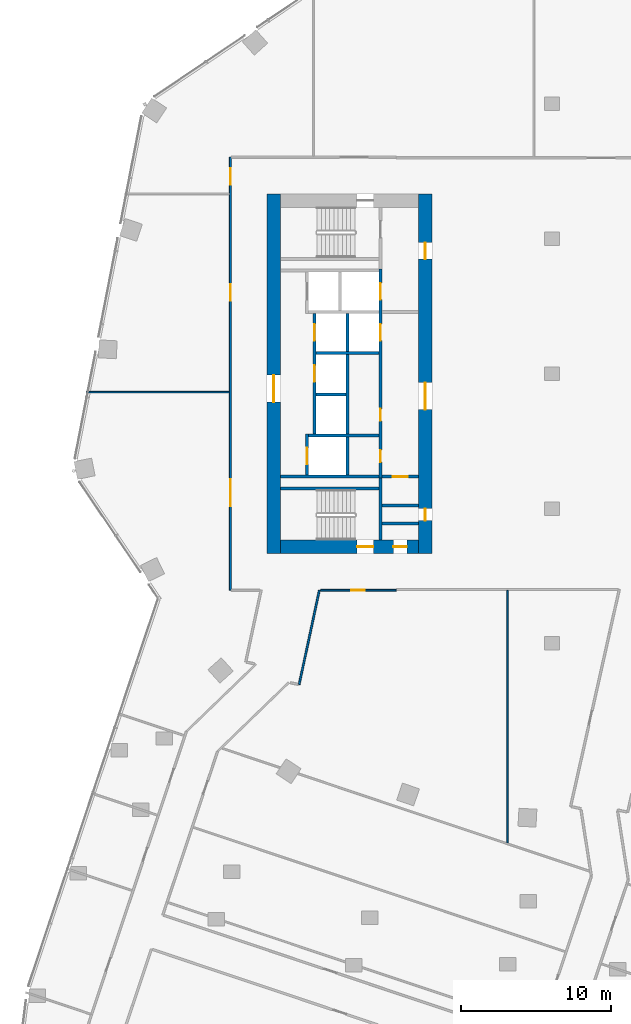
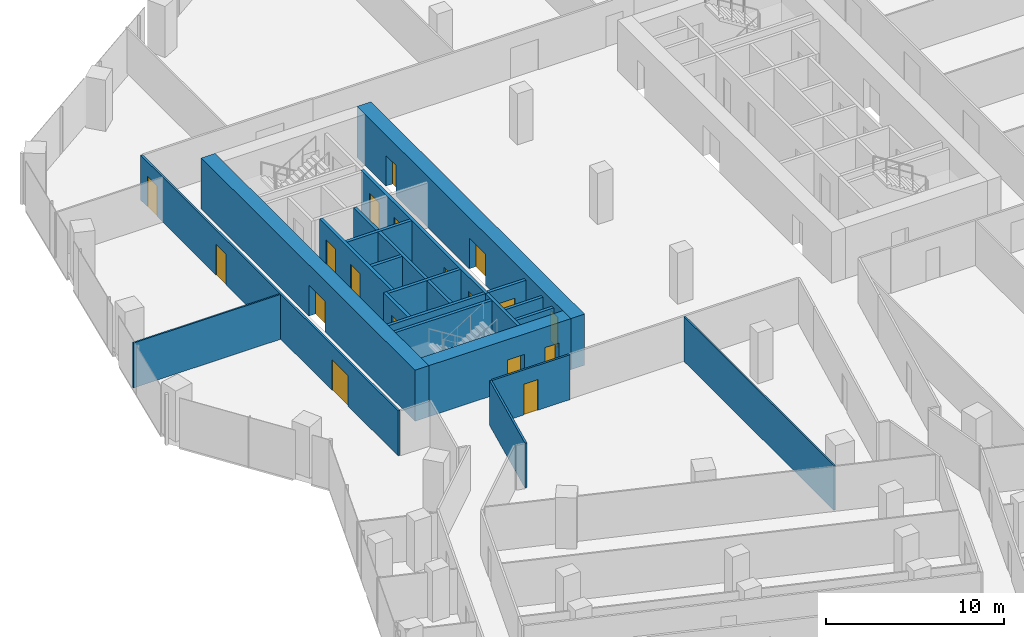
# One storey, part 20 of 26: 23 walls, 18 doors, 18 openings.
"""IFC4 building model written with IfcOpenShell, lengths in metres."""

from ifc_helpers import new_model, si_unit, direction, frame, frame_2d, origin, place, context, subcontext, project, spatial, rectangle, extrude, material, layer, layer_set, type_object, element, fill, save


model = new_model("IFC4")

# Units and contexts
model_context = context("Model", 3, precision=1e-05, world=origin(), true_north=direction((0.0, 1.0)))
body_context = subcontext(model_context, "Body", "Model", "MODEL_VIEW")
ifc_project = project(units=[si_unit("LENGTHUNIT", "METRE"), si_unit("AREAUNIT", "SQUARE_METRE"), si_unit("VOLUMEUNIT", "CUBIC_METRE"), si_unit("PLANEANGLEUNIT", "RADIAN"), si_unit("MASSUNIT", "GRAM", prefix="KILO")], contexts=[model_context])

# Site, building, storey
site_placement = place(None, origin())
site = spatial("IfcSite", under=ifc_project, at=site_placement, CompositionType="ELEMENT")
building_placement = place(site_placement, origin())
building = spatial("IfcBuilding", under=site, at=building_placement, Name="Orlundy Tower", CompositionType="ELEMENT")
storey_placement = place(building_placement, frame((0.0, 0.0, 156.10009765625)))
storey = spatial("IfcBuildingStorey", under=building, at=storey_placement, Name="L40", CompositionType="ELEMENT", Elevation=156.10009765625)

# Wall, openings, doors
ifc_material_1 = material(Name="Concrete C70/85", Category="concrete")
ifc_layer_1 = layer(ifc_material_1, 0.89990234375)
ifc_layer_set_1 = layer_set([ifc_layer_1], Name="CORE WALL 900 C70/85")
wall_type_1 = type_object("IfcWallType", Name="CORE WALL 900 C70/85", PredefinedType="SHEAR", material=ifc_layer_set_1)
wall_1_placement = place(storey_placement, frame((-18.10009765625, -11.550048828125, 0.0), z_axis=(0.0, 0.0, 1.0), x_axis=(1.0, 0.0, 0.0)))
wall_1 = element("IfcWall", 1, at=wall_1_placement, inside=storey, type_object=wall_type_1, Name="Core wall W-S L40", PredefinedType="SHEAR", context=body_context, shape_type="SweptSolid", body=[
    extrude(rectangle(XDim=9.2001953125, YDim=0.89990234375, at=frame_2d((4.60009765625, 0.0))), origin(), (0.0, 0.0, 1.0), 3.5),
])
opening_1_placement = place(wall_1_placement, frame((5.10009765625, 0.0, 0.0)))
opening_1 = element("IfcOpeningElement", 2, at=opening_1_placement, cuts=wall_1, Name="Opening 31013", PredefinedType="OPENING", context=body_context, shape_type="SweptSolid", body=[
    extrude(rectangle(XDim=1.10009765625, YDim=2.10009765625, at=frame_2d((0.550048828125, 1.050048828125))), frame((0.0, 0.4599609375, 0.0), z_axis=(0.0, -1.0, 0.0), x_axis=(1.0, 0.0, 0.0)), (0.0, 0.0, 1.0), 0.919921875),
])
opening_2_placement = place(wall_1_placement, frame((7.530029296875, 0.0, 0.0)))
opening_2 = element("IfcOpeningElement", 3, at=opening_2_placement, cuts=wall_1, Name="Opening 31015", PredefinedType="OPENING", context=body_context, shape_type="SweptSolid", body=[
    extrude(rectangle(XDim=0.89990234375, YDim=2.10009765625, at=frame_2d((0.449951171875, 1.050048828125))), frame((0.0, 0.4599609375, 0.0), z_axis=(0.0, -1.0, 0.0), x_axis=(1.0, 0.0, 0.0)), (0.0, 0.0, 1.0), 0.919921875),
])
ifc_material_2 = material(Name="Timber door set", Category="wood")
door_type_1 = type_object("IfcDoorType", Name="Room Door 900x2100", OperationType="SINGLE_SWING_LEFT", PredefinedType="DOOR", material=ifc_material_2)
door_1_placement = place(opening_2_placement, origin())
door_1 = element("IfcDoor", 4, at=door_1_placement, inside=storey, type_object=door_type_1, Name="Store door 31015", OperationType="SINGLE_SWING_RIGHT", OverallHeight=2.10009765625, OverallWidth=0.89990234375, PredefinedType="DOOR", context=body_context, shape_type="SweptSolid", body=[
    extrude(rectangle(XDim=0.89990234375, YDim=2.10009765625, at=frame_2d((0.449951171875, 1.050048828125))), frame((0.0, 0.02490234375, 0.0), z_axis=(0.0, -1.0, 0.0), x_axis=(1.0, 0.0, 0.0)), (0.0, 0.0, 1.0), 0.050048828125),
])
fill(opening_2, door_1)
ifc_material_3 = material(Name="Steel door set", Category="steel")
door_type_2 = type_object("IfcDoorType", Name="Stair Door 1100x2100", OperationType="SINGLE_SWING_LEFT", PredefinedType="DOOR", material=ifc_material_3)
door_2_placement = place(opening_1_placement, origin())
door_2 = element("IfcDoor", 5, at=door_2_placement, inside=storey, type_object=door_type_2, Name="Stair door 31013", OperationType="SINGLE_SWING_RIGHT", OverallHeight=2.10009765625, OverallWidth=1.10009765625, PredefinedType="DOOR", context=body_context, shape_type="SweptSolid", body=[
    extrude(rectangle(XDim=1.10009765625, YDim=2.10009765625, at=frame_2d((0.550048828125, 1.050048828125))), frame((0.0, 0.02490234375, 0.0), z_axis=(0.0, -1.0, 0.0), x_axis=(1.0, 0.0, 0.0)), (0.0, 0.0, 1.0), 0.050048828125),
])
fill(opening_1, door_2)

# Wall, opening, door
wall_2_placement = place(storey_placement, frame((-18.550048828125, -12.0, 0.0), z_axis=(0.0, 0.0, 1.0), x_axis=(0.0, 1.0, 0.0)))
wall_2 = element("IfcWall", 6, at=wall_2_placement, inside=storey, type_object=wall_type_1, Name="Core wall W-W L40", PredefinedType="SHEAR", context=body_context, shape_type="SweptSolid", body=[
    extrude(rectangle(XDim=24.0, YDim=0.89990234375, at=frame_2d((12.0, 0.0))), origin(), (0.0, 0.0, 1.0), 3.5),
])
opening_3_placement = place(wall_2_placement, frame((10.10009765625, 0.0, 0.0)))
opening_3 = element("IfcOpeningElement", 7, at=opening_3_placement, cuts=wall_2, Name="Opening 31010", PredefinedType="OPENING", context=body_context, shape_type="SweptSolid", body=[
    extrude(rectangle(XDim=1.800048828125, YDim=2.10009765625, at=frame_2d((0.89990234375, 1.050048828125))), frame((0.0, 0.4599609375, 0.0), z_axis=(0.0, -1.0, 0.0), x_axis=(1.0, 0.0, 0.0)), (0.0, 0.0, 1.0), 0.919921875),
])
ifc_material_4 = material(Name="Timber door set", Category="wood")
door_type_3 = type_object("IfcDoorType", Name="Lobby Door 1800x2100", OperationType="DOUBLE_DOOR_DOUBLE_SWING", PredefinedType="DOOR", material=ifc_material_4)
door_3_placement = place(opening_3_placement, origin())
door_3 = element("IfcDoor", 8, at=door_3_placement, inside=storey, type_object=door_type_3, Name="Lift lobby door 31010", OperationType="SINGLE_SWING_LEFT", OverallHeight=2.10009765625, OverallWidth=1.800048828125, PredefinedType="DOOR", context=body_context, shape_type="SweptSolid", body=[
    extrude(rectangle(XDim=1.800048828125, YDim=2.10009765625, at=frame_2d((0.89990234375, 1.050048828125))), frame((0.0, 0.02490234375, 0.0), z_axis=(0.0, -1.0, 0.0), x_axis=(1.0, 0.0, 0.0)), (0.0, 0.0, 1.0), 0.050048828125),
])
fill(opening_3, door_3)

# Wall, openings, doors
wall_3_placement = place(storey_placement, frame((-8.449951171875, -12.0, 0.0), z_axis=(0.0, 0.0, 1.0), x_axis=(0.0, 1.0, 0.0)))
wall_3 = element("IfcWall", 9, at=wall_3_placement, inside=storey, type_object=wall_type_1, Name="Core wall W-E L40", PredefinedType="SHEAR", context=body_context, shape_type="SweptSolid", body=[
    extrude(rectangle(XDim=24.0, YDim=0.89990234375, at=frame_2d((12.0, 0.0))), origin(), (0.0, 0.0, 1.0), 3.5),
])
opening_4_placement = place(wall_3_placement, frame((9.60009765625, 0.0, 0.0)))
opening_4 = element("IfcOpeningElement", 10, at=opening_4_placement, cuts=wall_3, Name="Opening 31009", PredefinedType="OPENING", context=body_context, shape_type="SweptSolid", body=[
    extrude(rectangle(XDim=1.800048828125, YDim=2.10009765625, at=frame_2d((0.89990234375, 1.050048828125))), frame((0.0, 0.4599609375, 0.0), z_axis=(0.0, -1.0, 0.0), x_axis=(1.0, 0.0, 0.0)), (0.0, 0.0, 1.0), 0.919921875),
])
opening_5_placement = place(wall_3_placement, frame((19.64990234375, 0.0, 0.0)))
opening_5 = element("IfcOpeningElement", 11, at=opening_5_placement, cuts=wall_3, Name="Opening 31011", PredefinedType="OPENING", context=body_context, shape_type="SweptSolid", body=[
    extrude(rectangle(XDim=1.10009765625, YDim=2.10009765625, at=frame_2d((0.550048828125, 1.050048828125))), frame((0.0, 0.4599609375, 0.0), z_axis=(0.0, -1.0, 0.0), x_axis=(1.0, 0.0, 0.0)), (0.0, 0.0, 1.0), 0.919921875),
])
opening_6_placement = place(wall_3_placement, frame((2.199951171875, 0.0, 0.0)))
opening_6 = element("IfcOpeningElement", 12, at=opening_6_placement, cuts=wall_3, Name="Opening 31016", PredefinedType="OPENING", context=body_context, shape_type="SweptSolid", body=[
    extrude(rectangle(XDim=0.800048828125, YDim=2.10009765625, at=frame_2d((0.39990234375, 1.050048828125))), frame((0.0, 0.4599609375, 0.0), z_axis=(0.0, -1.0, 0.0), x_axis=(1.0, 0.0, 0.0)), (0.0, 0.0, 1.0), 0.919921875),
])
ifc_material_5 = material(Name="Steel door set", Category="steel")
door_type_4 = type_object("IfcDoorType", Name="Fire-fighting Lobby Door 1100x2100", OperationType="SINGLE_SWING_LEFT", PredefinedType="DOOR", material=ifc_material_5)
door_4_placement = place(opening_5_placement, origin())
door_4 = element("IfcDoor", 13, at=door_4_placement, inside=storey, type_object=door_type_4, Name="Fire-fighting lobby door 31011", OperationType="SINGLE_SWING_RIGHT", OverallHeight=2.10009765625, OverallWidth=1.10009765625, PredefinedType="DOOR", context=body_context, shape_type="SweptSolid", body=[
    extrude(rectangle(XDim=1.10009765625, YDim=2.10009765625, at=frame_2d((0.550048828125, 1.050048828125))), frame((0.0, 0.02490234375, 0.0), z_axis=(0.0, -1.0, 0.0), x_axis=(1.0, 0.0, 0.0)), (0.0, 0.0, 1.0), 0.050048828125),
])
fill(opening_5, door_4)
door_5_placement = place(opening_4_placement, origin())
door_5 = element("IfcDoor", 14, at=door_5_placement, inside=storey, type_object=door_type_3, Name="Lift lobby door 31009", OperationType="SINGLE_SWING_LEFT", OverallHeight=2.10009765625, OverallWidth=1.800048828125, PredefinedType="DOOR", context=body_context, shape_type="SweptSolid", body=[
    extrude(rectangle(XDim=1.800048828125, YDim=2.10009765625, at=frame_2d((0.89990234375, 1.050048828125))), frame((0.0, 0.02490234375, 0.0), z_axis=(0.0, -1.0, 0.0), x_axis=(1.0, 0.0, 0.0)), (0.0, 0.0, 1.0), 0.050048828125),
])
fill(opening_4, door_5)
ifc_material_6 = material(Name="Timber door set", Category="wood")
door_type_5 = type_object("IfcDoorType", Name="Riser Door 800x2100", OperationType="SINGLE_SWING_LEFT", PredefinedType="DOOR", material=ifc_material_6)
door_6_placement = place(opening_6_placement, origin())
door_6 = element("IfcDoor", 15, at=door_6_placement, inside=storey, type_object=door_type_5, Name="Door 31016", OperationType="SINGLE_SWING_LEFT", OverallHeight=2.10009765625, OverallWidth=0.800048828125, PredefinedType="DOOR", context=body_context, shape_type="SweptSolid", body=[
    extrude(rectangle(XDim=0.800048828125, YDim=2.10009765625, at=frame_2d((0.39990234375, 1.050048828125))), frame((0.0, 0.02490234375, 0.0), z_axis=(0.0, -1.0, 0.0), x_axis=(1.0, 0.0, 0.0)), (0.0, 0.0, 1.0), 0.050048828125),
])
fill(opening_6, door_6)

# Walls
ifc_material_7 = material(Name="Gypsum board partition")
ifc_layer_2 = layer(ifc_material_7, 0.10009765625)
ifc_layer_set_2 = layer_set([ifc_layer_2], Name="Floor partition 100")
wall_type_2 = type_object("IfcWallType", Name="Floor partition 100", PredefinedType="PARTITIONING", material=ifc_layer_set_2)
wall_4_placement = place(storey_placement, frame((-31.053955078125, -1.22412109375, 0.0), z_axis=(0.0, 0.0, 1.0), x_axis=(1.0, 0.0, 0.0)))
element("IfcWall", 16, at=wall_4_placement, inside=storey, type_object=wall_type_2, Name="wall-int-L40-030", PredefinedType="PARTITIONING", context=body_context, shape_type="SweptSolid", body=[
    extrude(rectangle(XDim=9.5419921875, YDim=0.10009765625, at=frame_2d((4.77099609375, 0.0))), origin(), (0.0, 0.0, 1.0), 3.079833984375),
])
wall_5_placement = place(storey_placement, frame((-2.94189453125, -31.31298828125, 0.0), z_axis=(0.0, 0.0, 1.0), x_axis=(0.0, 1.0, 0.0)))
element("IfcWall", 17, at=wall_5_placement, inside=storey, type_object=wall_type_2, Name="wall-int-L40-068", PredefinedType="PARTITIONING", context=body_context, shape_type="SweptSolid", body=[
    extrude(rectangle(XDim=16.85009765625, YDim=0.10009765625, at=frame_2d((8.425048828125, 0.0))), origin(), (0.0, 0.0, 1.0), 3.079833984375),
])

# Wall, opening, door
ifc_material_8 = material(Name="Gypsum board partition, double layer")
ifc_layer_3 = layer(ifc_material_8, 0.125)
ifc_layer_set_3 = layer_set([ifc_layer_3], Name="Floor partition 125")
wall_type_3 = type_object("IfcWallType", Name="Floor partition 125", PredefinedType="PARTITIONING", material=ifc_layer_set_3)
wall_6_placement = place(storey_placement, frame((-10.39111328125, -14.450927734375, 0.0), z_axis=(0.0, 0.0, 1.0), x_axis=(-1.0, 0.0, 0.0)))
wall_6 = element("IfcWall", 18, at=wall_6_placement, inside=storey, type_object=wall_type_3, Name="wall-int-L40-025", PredefinedType="PARTITIONING", context=body_context, shape_type="SweptSolid", body=[
    extrude(rectangle(XDim=5.04296875, YDim=0.125, at=frame_2d((2.521484375, 0.0))), origin(), (0.0, 0.0, 1.0), 3.079833984375),
])
opening_7_placement = place(wall_6_placement, frame((2.10009765625, 0.0, 0.0)))
opening_7 = element("IfcOpeningElement", 19, at=opening_7_placement, cuts=wall_6, Name="Opening 31113", PredefinedType="OPENING", context=body_context, shape_type="SweptSolid", body=[
    extrude(rectangle(XDim=0.89990234375, YDim=2.10009765625, at=frame_2d((0.449951171875, 1.050048828125))), frame((0.0, 0.072509765625, 0.0), z_axis=(0.0, -1.0, 0.0), x_axis=(1.0, 0.0, 0.0)), (0.0, 0.0, 1.0), 0.14501953125),
])
ifc_material_9 = material(Name="Timber door leaf", Category="wood")
door_type_6 = type_object("IfcDoorType", Name="Floor door single 900 FD30S", OperationType="NOTDEFINED", PredefinedType="DOOR", material=ifc_material_9)
door_7_placement = place(opening_7_placement, origin())
door_7 = element("IfcDoor", 20, at=door_7_placement, inside=storey, type_object=door_type_6, Name="Door 31113", OperationType="SINGLE_SWING_RIGHT", OverallHeight=2.10009765625, OverallWidth=0.89990234375, PredefinedType="DOOR", context=body_context, shape_type="SweptSolid", body=[
    extrude(rectangle(XDim=0.89990234375, YDim=2.10009765625, at=frame_2d((0.449951171875, 1.050048828125))), frame((0.0, 0.02490234375, 0.0), z_axis=(0.0, -1.0, 0.0), x_axis=(1.0, 0.0, 0.0)), (0.0, 0.0, 1.0), 0.050048828125),
])
fill(opening_7, door_7)

# Wall
wall_7_placement = place(storey_placement, frame((-16.862060546875, -20.751953125, 0.0), z_axis=(0.0, 0.0, 1.0), x_axis=(0.209655863281, 0.977775239506, 0.0)))
element("IfcWall", 21, at=wall_7_placement, inside=storey, type_object=wall_type_3, Name="wall-int-L40-060", PredefinedType="PARTITIONING", context=body_context, shape_type="SweptSolid", body=[
    extrude(rectangle(XDim=6.4443359375, YDim=0.125, at=frame_2d((3.22216796875, 0.0))), origin(), (0.0, 0.0, 1.0), 3.079833984375),
])

# Wall, openings, doors
wall_8_placement = place(storey_placement, frame((-21.449951171875, -14.450927734375, 0.0), z_axis=(0.0, 0.0, 1.0), x_axis=(0.0, 1.0, 0.0)))
wall_8 = element("IfcWall", 22, at=wall_8_placement, inside=storey, type_object=wall_type_3, Name="wall-int-L40-070", PredefinedType="PARTITIONING", context=body_context, shape_type="SweptSolid", body=[
    extrude(rectangle(XDim=28.90185546875, YDim=0.125, at=frame_2d((14.450927734375, 0.0))), origin(), (0.0, 0.0, 1.0), 3.079833984375),
])
opening_8_placement = place(wall_8_placement, frame((5.60009765625, 0.0, 0.0)))
opening_8 = element("IfcOpeningElement", 23, at=opening_8_placement, cuts=wall_8, Name="Opening 31112", PredefinedType="OPENING", context=body_context, shape_type="SweptSolid", body=[
    extrude(rectangle(XDim=1.800048828125, YDim=2.10009765625, at=frame_2d((0.89990234375, 1.050048828125))), frame((0.0, 0.072509765625, 0.0), z_axis=(0.0, -1.0, 0.0), x_axis=(1.0, 0.0, 0.0)), (0.0, 0.0, 1.0), 0.14501953125),
])
opening_9_placement = place(wall_8_placement, frame((27.051025390625, 0.0, 0.0)))
opening_9 = element("IfcOpeningElement", 24, at=opening_9_placement, cuts=wall_8, Name="Opening 31126", PredefinedType="OPENING", context=body_context, shape_type="SweptSolid", body=[
    extrude(rectangle(XDim=1.10009765625, YDim=2.10009765625, at=frame_2d((0.550048828125, 1.050048828125))), frame((0.0, 0.072509765625, 0.0), z_axis=(0.0, -1.0, 0.0), x_axis=(1.0, 0.0, 0.0)), (0.0, 0.0, 1.0), 0.14501953125),
])
opening_10_placement = place(wall_8_placement, frame((19.326904296875, 0.0, 0.0)))
opening_10 = element("IfcOpeningElement", 25, at=opening_10_placement, cuts=wall_8, Name="Opening 31127", PredefinedType="OPENING", context=body_context, shape_type="SweptSolid", body=[
    extrude(rectangle(XDim=1.10009765625, YDim=2.10009765625, at=frame_2d((0.550048828125, 1.050048828125))), frame((0.0, 0.072509765625, 0.0), z_axis=(0.0, -1.0, 0.0), x_axis=(1.0, 0.0, 0.0)), (0.0, 0.0, 1.0), 0.14501953125),
])
ifc_material_10 = material(Name="Timber door leaf", Category="wood")
door_type_7 = type_object("IfcDoorType", Name="Floor door double 1800 FD30S", OperationType="NOTDEFINED", PredefinedType="DOOR", material=ifc_material_10)
door_8_placement = place(opening_8_placement, origin())
door_8 = element("IfcDoor", 26, at=door_8_placement, inside=storey, type_object=door_type_7, Name="Door 31112", OperationType="DOUBLE_DOOR_SINGLE_SWING", OverallHeight=2.10009765625, OverallWidth=1.800048828125, PredefinedType="DOOR", context=body_context, shape_type="SweptSolid", body=[
    extrude(rectangle(XDim=1.800048828125, YDim=2.10009765625, at=frame_2d((0.89990234375, 1.050048828125))), frame((0.0, 0.02490234375, 0.0), z_axis=(0.0, -1.0, 0.0), x_axis=(1.0, 0.0, 0.0)), (0.0, 0.0, 1.0), 0.050048828125),
])
fill(opening_8, door_8)
ifc_material_11 = material(Name="Timber door leaf", Category="wood")
door_type_8 = type_object("IfcDoorType", Name="Floor door xwide 1100 FD30S", OperationType="NOTDEFINED", PredefinedType="DOOR", material=ifc_material_11)
door_9_placement = place(opening_9_placement, origin())
door_9 = element("IfcDoor", 27, at=door_9_placement, inside=storey, type_object=door_type_8, Name="Door 31126", OperationType="SINGLE_SWING_RIGHT", OverallHeight=2.10009765625, OverallWidth=1.10009765625, PredefinedType="DOOR", context=body_context, shape_type="SweptSolid", body=[
    extrude(rectangle(XDim=1.10009765625, YDim=2.10009765625, at=frame_2d((0.550048828125, 1.050048828125))), frame((0.0, 0.02490234375, 0.0), z_axis=(0.0, -1.0, 0.0), x_axis=(1.0, 0.0, 0.0)), (0.0, 0.0, 1.0), 0.050048828125),
])
fill(opening_9, door_9)
door_10_placement = place(opening_10_placement, origin())
door_10 = element("IfcDoor", 28, at=door_10_placement, inside=storey, type_object=door_type_8, Name="Door 31127", OperationType="SINGLE_SWING_RIGHT", OverallHeight=2.10009765625, OverallWidth=1.10009765625, PredefinedType="DOOR", context=body_context, shape_type="SweptSolid", body=[
    extrude(rectangle(XDim=1.10009765625, YDim=2.10009765625, at=frame_2d((0.550048828125, 1.050048828125))), frame((0.0, 0.02490234375, 0.0), z_axis=(0.0, -1.0, 0.0), x_axis=(1.0, 0.0, 0.0)), (0.0, 0.0, 1.0), 0.050048828125),
])
fill(opening_10, door_10)

# Walls
ifc_material_12 = material(Name="Concrete C40/50", Category="concrete")
ifc_layer_4 = layer(ifc_material_12, 0.199951171875)
ifc_layer_set_4 = layer_set([ifc_layer_4], Name="Load-bearing Shaft Wall 200")
wall_type_4 = type_object("IfcWallType", Name="Load-bearing Shaft Wall 200", PredefinedType="SOLIDWALL", material=ifc_layer_set_4)
wall_9_placement = place(storey_placement, frame((-11.43994140625, -11.10009765625, 0.0), z_axis=(0.0, 0.0, 1.0), x_axis=(0.0, 1.0, 0.0)))
element("IfcWall", 29, at=wall_9_placement, inside=storey, type_object=wall_type_4, Name="Shaft wall W31-stair-end-s", PredefinedType="SOLIDWALL", context=body_context, shape_type="SweptSolid", body=[
    extrude(rectangle(XDim=4.125, YDim=0.199951171875, at=frame_2d((2.0625, 0.0))), origin(), (0.0, 0.0, 1.0), 3.08984375),
])
wall_10_placement = place(storey_placement, frame((-11.5400390625, -7.64990234375, 0.0), z_axis=(0.0, 0.0, 1.0), x_axis=(-1.0, 0.0, 0.0)))
element("IfcWall", 30, at=wall_10_placement, inside=storey, type_object=wall_type_4, Name="Shaft wall W31-stair-side-s", PredefinedType="SOLIDWALL", context=body_context, shape_type="SweptSolid", body=[
    extrude(rectangle(XDim=6.56005859375, YDim=0.199951171875, at=frame_2d((3.280029296875, 0.0))), origin(), (0.0, 0.0, 1.0), 3.08984375),
])

# Wall, opening, door
ifc_material_13 = material(Name="Gypsum board partition on steel studs", Category="steel")
ifc_layer_5 = layer(ifc_material_13, 0.199951171875)
ifc_layer_set_5 = layer_set([ifc_layer_5], Name="Partition 200")
wall_type_5 = type_object("IfcWallType", Name="Partition 200", PredefinedType="PARTITIONING", material=ifc_layer_set_5)
wall_11_placement = place(storey_placement, frame((-8.89990234375, -6.875, 0.0), z_axis=(0.0, 0.0, 1.0), x_axis=(-1.0, 0.0, 0.0)))
wall_11 = element("IfcWall", 31, at=wall_11_placement, inside=storey, type_object=wall_type_5, Name="Partition wall W31-end-s", PredefinedType="PARTITIONING", context=body_context, shape_type="SweptSolid", body=[
    extrude(rectangle(XDim=2.440185546875, YDim=0.199951171875, at=frame_2d((1.22021484375, 0.0))), origin(), (0.0, 0.0, 1.0), 3.08984375),
])
opening_11_placement = place(wall_11_placement, frame((0.719970703125, 0.0, 0.0)))
opening_11 = element("IfcOpeningElement", 32, at=opening_11_placement, cuts=wall_11, Name="Opening 31017", PredefinedType="OPENING", context=body_context, shape_type="SweptSolid", body=[
    extrude(rectangle(XDim=1.0, YDim=2.10009765625, at=frame_2d((0.5, 1.050048828125))), frame((0.0, 0.110107421875, 0.0), z_axis=(0.0, -1.0, 0.0), x_axis=(1.0, 0.0, 0.0)), (0.0, 0.0, 1.0), 0.22021484375),
])
ifc_material_14 = material(Name="Timber door set", Category="wood")
door_type_9 = type_object("IfcDoorType", Name="Accessible Door 1000x2100", OperationType="SINGLE_SWING_LEFT", PredefinedType="DOOR", material=ifc_material_14)
door_11_placement = place(opening_11_placement, origin())
door_11 = element("IfcDoor", 33, at=door_11_placement, inside=storey, type_object=door_type_9, Name="Accessible WC door 31017", OperationType="SINGLE_SWING_RIGHT", OverallHeight=2.10009765625, OverallWidth=1.0, PredefinedType="DOOR", context=body_context, shape_type="SweptSolid", body=[
    extrude(rectangle(XDim=1.0, YDim=2.10009765625, at=frame_2d((0.5, 1.050048828125))), frame((0.0, 0.02490234375, 0.0), z_axis=(0.0, -1.0, 0.0), x_axis=(1.0, 0.0, 0.0)), (0.0, 0.0, 1.0), 0.050048828125),
])
fill(opening_11, door_11)

# Walls
for number, where, z_axis, x_axis, name in (
    (34, (-8.89990234375, -10.0, 0.0), (0.0, 0.0, 1.0), (-1.0, 0.0, 0.0), "Partition wall W31-room-s0"),
    (35, (-8.89990234375, -8.800048828125, 0.0), (0.0, 0.0, 1.0), (-1.0, 0.0, 0.0), "Partition wall W31-room-s1"),
):
    element("IfcWall", number, at=place(storey_placement, frame(where, z_axis=z_axis, x_axis=x_axis)), inside=storey, type_object=wall_type_5, Name=name, PredefinedType="PARTITIONING", context=body_context, shape_type="SweptSolid", body=[
        extrude(rectangle(XDim=2.440185546875, YDim=0.199951171875, at=frame_2d((1.22021484375, 0.0))), origin(), (0.0, 0.0, 1.0), 3.08984375),
    ])
ifc_material_15 = material(Name="Fire-rated blockwork shaft wall", Category="masonry")
ifc_layer_6 = layer(ifc_material_15, 0.199951171875)
ifc_layer_set_6 = layer_set([ifc_layer_6], Name="Shaft Wall 200")
wall_type_6 = type_object("IfcWallType", Name="Shaft Wall 200", PredefinedType="SOLIDWALL", material=ifc_layer_set_6)
wall_12_placement = place(storey_placement, frame((-11.5400390625, -6.875, 0.0), z_axis=(0.0, 0.0, 1.0), x_axis=(-1.0, 0.0, 0.0)))
element("IfcWall", 36, at=wall_12_placement, inside=storey, type_object=wall_type_6, Name="Shaft wall W31-zone-s", PredefinedType="SOLIDWALL", context=body_context, shape_type="SweptSolid", body=[
    extrude(rectangle(XDim=6.56005859375, YDim=0.199951171875, at=frame_2d((3.280029296875, 0.0))), origin(), (0.0, 0.0, 1.0), 3.08984375),
])
wall_13_placement = place(storey_placement, frame((-11.5400390625, -4.125, 0.0), z_axis=(0.0, 0.0, 1.0), x_axis=(-1.0, 0.0, 0.0)))
element("IfcWall", 37, at=wall_13_placement, inside=storey, type_object=wall_type_6, Name="Shaft wall W31-cross-4.125", PredefinedType="SOLIDWALL", context=body_context, shape_type="SweptSolid", body=[
    extrude(rectangle(XDim=4.699951171875, YDim=0.199951171875, at=frame_2d((2.35009765625, 0.0))), origin(), (0.0, 0.0, 1.0), 3.08984375),
])
wall_14_placement = place(storey_placement, frame((-13.739990234375, -1.375, 0.0), z_axis=(0.0, 0.0, 1.0), x_axis=(-1.0, 0.0, 0.0)))
element("IfcWall", 38, at=wall_14_placement, inside=storey, type_object=wall_type_6, Name="Shaft wall W31-cross-1.375", PredefinedType="SOLIDWALL", context=body_context, shape_type="SweptSolid", body=[
    extrude(rectangle(XDim=2.0, YDim=0.199951171875, at=frame_2d((1.0, 0.0))), origin(), (0.0, 0.0, 1.0), 3.08984375),
])
wall_15_placement = place(storey_placement, frame((-11.5400390625, 1.375, 0.0), z_axis=(0.0, 0.0, 1.0), x_axis=(-1.0, 0.0, 0.0)))
element("IfcWall", 39, at=wall_15_placement, inside=storey, type_object=wall_type_6, Name="Shaft wall W31-cross+1.375", PredefinedType="SOLIDWALL", context=body_context, shape_type="SweptSolid", body=[
    extrude(rectangle(XDim=4.199951171875, YDim=0.199951171875, at=frame_2d((2.10009765625, 0.0))), origin(), (0.0, 0.0, 1.0), 3.08984375),
])

# Wall, openings, doors
wall_16_placement = place(storey_placement, frame((-11.43994140625, -6.97509765625, 0.0), z_axis=(0.0, 0.0, 1.0), x_axis=(0.0, 1.0, 0.0)))
wall_16 = element("IfcWall", 40, at=wall_16_placement, inside=storey, type_object=wall_type_6, Name="Shaft wall W31-front-h", PredefinedType="SOLIDWALL", context=body_context, shape_type="SweptSolid", body=[
    extrude(rectangle(XDim=13.9501953125, YDim=0.199951171875, at=frame_2d((6.97509765625, 0.0))), origin(), (0.0, 0.0, 1.0), 3.08984375),
])
opening_12_placement = place(wall_16_placement, frame((9.175048828125, 0.0, 0.0)))
opening_12 = element("IfcOpeningElement", 41, at=opening_12_placement, cuts=wall_16, Name="Opening 31003", PredefinedType="OPENING", context=body_context, shape_type="SweptSolid", body=[
    extrude(rectangle(XDim=1.10009765625, YDim=2.10009765625, at=frame_2d((0.550048828125, 1.050048828125))), frame((0.0, 0.110107421875, 0.0), z_axis=(0.0, -1.0, 0.0), x_axis=(1.0, 0.0, 0.0)), (0.0, 0.0, 1.0), 0.22021484375),
])
opening_13_placement = place(wall_16_placement, frame((11.925048828125, 0.0, 0.0)))
opening_13 = element("IfcOpeningElement", 42, at=opening_13_placement, cuts=wall_16, Name="Opening 31005", PredefinedType="OPENING", context=body_context, shape_type="SweptSolid", body=[
    extrude(rectangle(XDim=1.10009765625, YDim=2.10009765625, at=frame_2d((0.550048828125, 1.050048828125))), frame((0.0, 0.110107421875, 0.0), z_axis=(0.0, -1.0, 0.0), x_axis=(1.0, 0.0, 0.0)), (0.0, 0.0, 1.0), 0.22021484375),
])
opening_14_placement = place(wall_16_placement, frame((1.074951171875, 0.0, 0.0)))
opening_14 = element("IfcOpeningElement", 43, at=opening_14_placement, cuts=wall_16, Name="Opening 31007", PredefinedType="OPENING", context=body_context, shape_type="SweptSolid", body=[
    extrude(rectangle(XDim=0.800048828125, YDim=2.10009765625, at=frame_2d((0.39990234375, 1.050048828125))), frame((0.0, 0.110107421875, 0.0), z_axis=(0.0, -1.0, 0.0), x_axis=(1.0, 0.0, 0.0)), (0.0, 0.0, 1.0), 0.22021484375),
])
opening_15_placement = place(wall_16_placement, frame((3.824951171875, 0.0, 0.0)))
opening_15 = element("IfcOpeningElement", 44, at=opening_15_placement, cuts=wall_16, Name="Opening 31008", PredefinedType="OPENING", context=body_context, shape_type="SweptSolid", body=[
    extrude(rectangle(XDim=0.800048828125, YDim=2.10009765625, at=frame_2d((0.39990234375, 1.050048828125))), frame((0.0, 0.110107421875, 0.0), z_axis=(0.0, -1.0, 0.0), x_axis=(1.0, 0.0, 0.0)), (0.0, 0.0, 1.0), 0.22021484375),
])
ifc_material_16 = material(Name="Steel door set", Category="steel")
door_type_10 = type_object("IfcDoorType", Name="Landing Door 1100x2100", OperationType="DOUBLE_DOOR_SLIDING", PredefinedType="DOOR", material=ifc_material_16)
door_12_placement = place(opening_12_placement, origin())
door_12 = element("IfcDoor", 45, at=door_12_placement, inside=storey, type_object=door_type_10, Name="Lift landing door LP-12 31003", OperationType="DOUBLE_DOOR_SLIDING", OverallHeight=2.10009765625, OverallWidth=1.10009765625, PredefinedType="DOOR", context=body_context, shape_type="SweptSolid", body=[
    extrude(rectangle(XDim=1.10009765625, YDim=2.10009765625, at=frame_2d((0.550048828125, 1.050048828125))), frame((0.0, 0.02490234375, 0.0), z_axis=(0.0, -1.0, 0.0), x_axis=(1.0, 0.0, 0.0)), (0.0, 0.0, 1.0), 0.050048828125),
])
fill(opening_12, door_12)
door_13_placement = place(opening_13_placement, origin())
door_13 = element("IfcDoor", 46, at=door_13_placement, inside=storey, type_object=door_type_10, Name="Lift landing door FL1 31005", OperationType="DOUBLE_DOOR_SLIDING", OverallHeight=2.10009765625, OverallWidth=1.10009765625, PredefinedType="DOOR", context=body_context, shape_type="SweptSolid", body=[
    extrude(rectangle(XDim=1.10009765625, YDim=2.10009765625, at=frame_2d((0.550048828125, 1.050048828125))), frame((0.0, 0.02490234375, 0.0), z_axis=(0.0, -1.0, 0.0), x_axis=(1.0, 0.0, 0.0)), (0.0, 0.0, 1.0), 0.050048828125),
])
fill(opening_13, door_13)
door_14_placement = place(opening_14_placement, origin())
door_14 = element("IfcDoor", 47, at=door_14_placement, inside=storey, type_object=door_type_5, Name="Pantry Store door 31007", OperationType="SINGLE_SWING_LEFT", OverallHeight=2.10009765625, OverallWidth=0.800048828125, PredefinedType="DOOR", context=body_context, shape_type="SweptSolid", body=[
    extrude(rectangle(XDim=0.800048828125, YDim=2.10009765625, at=frame_2d((0.39990234375, 1.050048828125))), frame((0.0, 0.02490234375, 0.0), z_axis=(0.0, -1.0, 0.0), x_axis=(1.0, 0.0, 0.0)), (0.0, 0.0, 1.0), 0.050048828125),
])
fill(opening_14, door_14)
door_15_placement = place(opening_15_placement, origin())
door_15 = element("IfcDoor", 48, at=door_15_placement, inside=storey, type_object=door_type_5, Name="AV Store door 31008", OperationType="SINGLE_SWING_LEFT", OverallHeight=2.10009765625, OverallWidth=0.800048828125, PredefinedType="DOOR", context=body_context, shape_type="SweptSolid", body=[
    extrude(rectangle(XDim=0.800048828125, YDim=2.10009765625, at=frame_2d((0.39990234375, 1.050048828125))), frame((0.0, 0.02490234375, 0.0), z_axis=(0.0, -1.0, 0.0), x_axis=(1.0, 0.0, 0.0)), (0.0, 0.0, 1.0), 0.050048828125),
])
fill(opening_15, door_15)

# Walls
wall_17_placement = place(storey_placement, frame((-13.639892578125, -6.77490234375, 0.0), z_axis=(0.0, 0.0, 1.0), x_axis=(0.0, 1.0, 0.0)))
element("IfcWall", 49, at=wall_17_placement, inside=storey, type_object=wall_type_6, Name="Shaft wall W31-mid-a", PredefinedType="SOLIDWALL", context=body_context, shape_type="SweptSolid", body=[
    extrude(rectangle(XDim=2.5498046875, YDim=0.199951171875, at=frame_2d((1.27490234375, 0.0))), origin(), (0.0, 0.0, 1.0), 3.08984375),
])
wall_18_placement = place(storey_placement, frame((-13.639892578125, -4.02490234375, 0.0), z_axis=(0.0, 0.0, 1.0), x_axis=(0.0, 1.0, 0.0)))
element("IfcWall", 50, at=wall_18_placement, inside=storey, type_object=wall_type_6, Name="Shaft wall W31-mid-a.1", PredefinedType="SOLIDWALL", context=body_context, shape_type="SweptSolid", body=[
    extrude(rectangle(XDim=5.2998046875, YDim=0.199951171875, at=frame_2d((2.64990234375, 0.0))), origin(), (0.0, 0.0, 1.0), 3.08984375),
])
wall_19_placement = place(storey_placement, frame((-13.639892578125, 1.47509765625, 0.0), z_axis=(0.0, 0.0, 1.0), x_axis=(0.0, 1.0, 0.0)))
element("IfcWall", 51, at=wall_19_placement, inside=storey, type_object=wall_type_6, Name="Shaft wall W31-mid-a.2", PredefinedType="SOLIDWALL", context=body_context, shape_type="SweptSolid", body=[
    extrude(rectangle(XDim=2.5498046875, YDim=0.199951171875, at=frame_2d((1.27490234375, 0.0))), origin(), (0.0, 0.0, 1.0), 3.08984375),
])

# Wall, opening, door
wall_20_placement = place(storey_placement, frame((-16.340087890625, -6.77490234375, 0.0), z_axis=(0.0, 0.0, 1.0), x_axis=(0.0, 1.0, 0.0)))
wall_20 = element("IfcWall", 52, at=wall_20_placement, inside=storey, type_object=wall_type_6, Name="Shaft wall W31-front-o-a", PredefinedType="SOLIDWALL", context=body_context, shape_type="SweptSolid", body=[
    extrude(rectangle(XDim=2.75, YDim=0.199951171875, at=frame_2d((1.375, 0.0))), origin(), (0.0, 0.0, 1.0), 3.08984375),
])
opening_16_placement = place(wall_20_placement, frame((0.72509765625, 0.0, 0.0)))
opening_16 = element("IfcOpeningElement", 53, at=opening_16_placement, cuts=wall_20, Name="Opening 31001", PredefinedType="OPENING", context=body_context, shape_type="SweptSolid", body=[
    extrude(rectangle(XDim=1.10009765625, YDim=2.10009765625, at=frame_2d((0.550048828125, 1.050048828125))), frame((0.0, 0.110107421875, 0.0), z_axis=(0.0, -1.0, 0.0), x_axis=(1.0, 0.0, 0.0)), (0.0, 0.0, 1.0), 0.22021484375),
])
door_16_placement = place(opening_16_placement, origin())
door_16 = element("IfcDoor", 54, at=door_16_placement, inside=storey, type_object=door_type_10, Name="Lift landing door LV-01 31001", OperationType="DOUBLE_DOOR_SLIDING", OverallHeight=2.10009765625, OverallWidth=1.10009765625, PredefinedType="DOOR", context=body_context, shape_type="SweptSolid", body=[
    extrude(rectangle(XDim=1.10009765625, YDim=2.10009765625, at=frame_2d((0.550048828125, 1.050048828125))), frame((0.0, 0.02490234375, 0.0), z_axis=(0.0, -1.0, 0.0), x_axis=(1.0, 0.0, 0.0)), (0.0, 0.0, 1.0), 0.050048828125),
])
fill(opening_16, door_16)

# Wall, openings, doors
wall_21_placement = place(storey_placement, frame((-15.840087890625, -4.02490234375, 0.0), z_axis=(0.0, 0.0, 1.0), x_axis=(0.0, 1.0, 0.0)))
wall_21 = element("IfcWall", 55, at=wall_21_placement, inside=storey, type_object=wall_type_6, Name="Shaft wall W31-front-o-b", PredefinedType="SOLIDWALL", context=body_context, shape_type="SweptSolid", body=[
    extrude(rectangle(XDim=8.0498046875, YDim=0.199951171875, at=frame_2d((4.02490234375, 0.0))), origin(), (0.0, 0.0, 1.0), 3.08984375),
])
opening_17_placement = place(wall_21_placement, frame((3.47509765625, 0.0, 0.0)))
opening_17 = element("IfcOpeningElement", 56, at=opening_17_placement, cuts=wall_21, Name="Opening 31002", PredefinedType="OPENING", context=body_context, shape_type="SweptSolid", body=[
    extrude(rectangle(XDim=1.10009765625, YDim=2.10009765625, at=frame_2d((0.550048828125, 1.050048828125))), frame((0.0, 0.110107421875, 0.0), z_axis=(0.0, -1.0, 0.0), x_axis=(1.0, 0.0, 0.0)), (0.0, 0.0, 1.0), 0.22021484375),
])
opening_18_placement = place(wall_21_placement, frame((6.22509765625, 0.0, 0.0)))
opening_18 = element("IfcOpeningElement", 57, at=opening_18_placement, cuts=wall_21, Name="Opening 31004", PredefinedType="OPENING", context=body_context, shape_type="SweptSolid", body=[
    extrude(rectangle(XDim=1.10009765625, YDim=2.10009765625, at=frame_2d((0.550048828125, 1.050048828125))), frame((0.0, 0.110107421875, 0.0), z_axis=(0.0, -1.0, 0.0), x_axis=(1.0, 0.0, 0.0)), (0.0, 0.0, 1.0), 0.22021484375),
])
door_17_placement = place(opening_17_placement, origin())
door_17 = element("IfcDoor", 58, at=door_17_placement, inside=storey, type_object=door_type_10, Name="Lift landing door LP-11 31002", OperationType="DOUBLE_DOOR_SLIDING", OverallHeight=2.10009765625, OverallWidth=1.10009765625, PredefinedType="DOOR", context=body_context, shape_type="SweptSolid", body=[
    extrude(rectangle(XDim=1.10009765625, YDim=2.10009765625, at=frame_2d((0.550048828125, 1.050048828125))), frame((0.0, 0.02490234375, 0.0), z_axis=(0.0, -1.0, 0.0), x_axis=(1.0, 0.0, 0.0)), (0.0, 0.0, 1.0), 0.050048828125),
])
fill(opening_17, door_17)
door_18_placement = place(opening_18_placement, origin())
door_18 = element("IfcDoor", 59, at=door_18_placement, inside=storey, type_object=door_type_10, Name="Lift landing door LP-13 31004", OperationType="DOUBLE_DOOR_SLIDING", OverallHeight=2.10009765625, OverallWidth=1.10009765625, PredefinedType="DOOR", context=body_context, shape_type="SweptSolid", body=[
    extrude(rectangle(XDim=1.10009765625, YDim=2.10009765625, at=frame_2d((0.550048828125, 1.050048828125))), frame((0.0, 0.02490234375, 0.0), z_axis=(0.0, -1.0, 0.0), x_axis=(1.0, 0.0, 0.0)), (0.0, 0.0, 1.0), 0.050048828125),
])
fill(opening_18, door_18)

save(model, "model.ifc")
